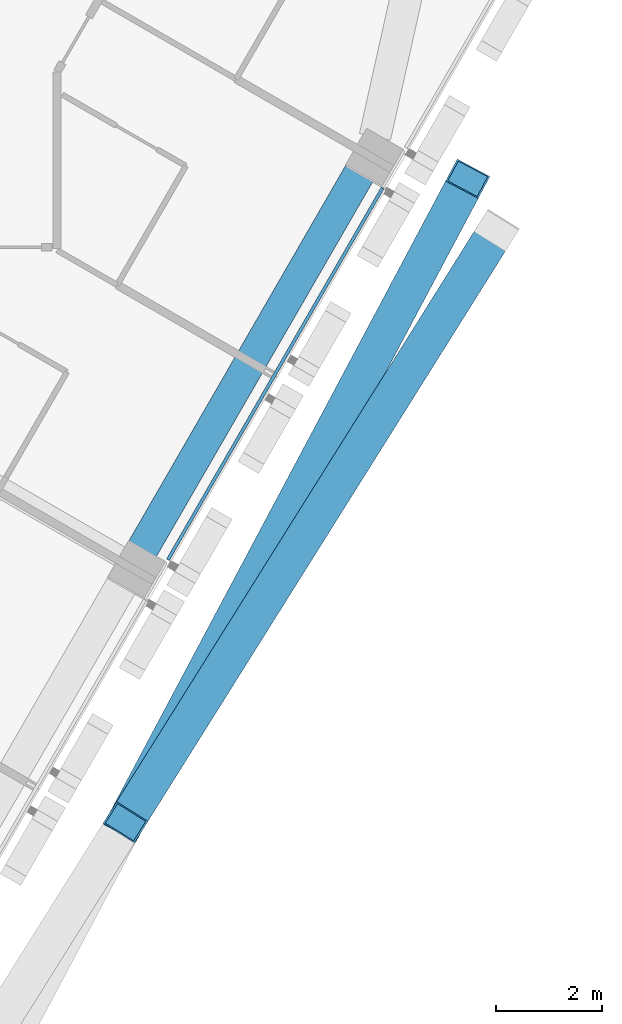
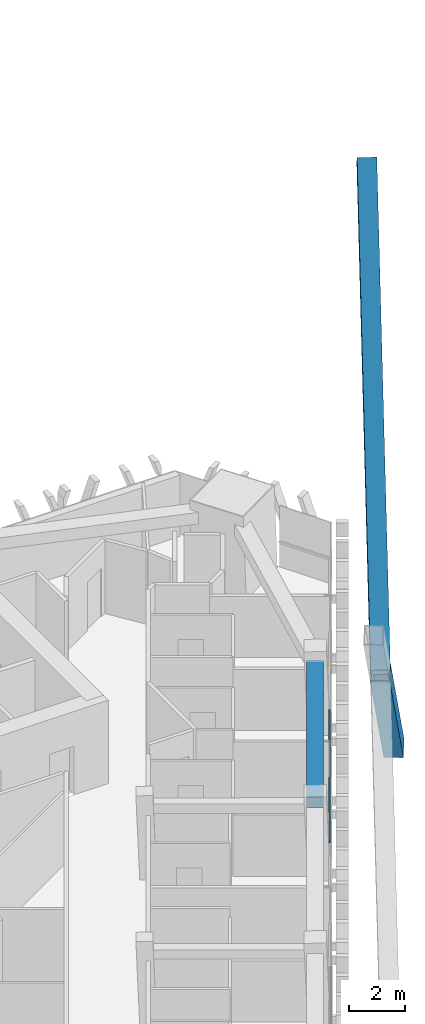
# One storey, part 5 of 17: 3 members, 1 beam, 1 element without a shape of its own.
"""IFC4 building model written with IfcOpenShell, lengths in metres."""

from ifc_helpers import new_model, si_unit, direction, frame, origin, origin_2d, place, context, subcontext, project, spatial, rectangle, hollow_rectangle, extrude, material, layer, layer_set, material_profile, profile_set, type_object, element, aggregate, save


model = new_model("IFC4")

# Units and contexts
model_context = context("Model", 3, precision=1e-05, world=origin(), true_north=direction((0.0, 1.0)))
body_context = subcontext(model_context, "Body", "Model", "MODEL_VIEW")
ifc_project = project(units=[si_unit("LENGTHUNIT", "METRE"), si_unit("AREAUNIT", "SQUARE_METRE"), si_unit("VOLUMEUNIT", "CUBIC_METRE"), si_unit("PLANEANGLEUNIT", "RADIAN"), si_unit("MASSUNIT", "GRAM", prefix="KILO")], contexts=[model_context])

# Site, building, storey
site_placement = place(None, origin())
site = spatial("IfcSite", under=ifc_project, at=site_placement, CompositionType="ELEMENT")
building_placement = place(site_placement, origin())
building = spatial("IfcBuilding", under=site, at=building_placement, Name="Altiplano Prism Tower", CompositionType="ELEMENT")
storey_placement = place(building_placement, frame((0.0, 0.0, 194.39990234375)))
storey = spatial("IfcBuildingStorey", under=building, at=storey_placement, Name="L50", CompositionType="ELEMENT", Elevation=194.39990234375)

# Curtain wall, member
ifc_material_1 = material(Name="Aluminium and glass", Category="aluminium")
ifc_layer = layer(ifc_material_1, 0.280029296875)
ifc_layer_set = layer_set([ifc_layer], Name="Aluminium and glass")
curtain_wall_type = type_object("IfcCurtainWallType", Name="CW1 typical co-living unitised curtain wall", PredefinedType="NOTDEFINED", material=ifc_layer_set)
curtain_wall_placement = place(storey_placement, origin())
curtain_wall = element("IfcCurtainWall", 1, at=curtain_wall_placement, inside=storey, type_object=curtain_wall_type, Name="CW1 curtain wall south-east face L50", PredefinedType="NOTDEFINED")
ifc_material_2 = material(Name="Aluminium", Category="aluminium")
ifc_material_profile_1 = material_profile(ifc_material_2, rectangle(XDim=0.06005859375, YDim=0.080078125, at=origin_2d()), Name="CW1 transom 80 x 60")
ifc_profile_set_1 = profile_set([ifc_material_profile_1], Name="Aluminium")
member_type_1 = type_object("IfcMemberType", Name="CW1 transom 80 x 60", PredefinedType="USERDEFINED", material=ifc_profile_set_1)
member_1_placement = place(storey_placement, frame((101.896240234375, 84.289794921875, 1.10009765625), z_axis=(0.499987045439, 0.866032882975, 0.0), x_axis=(-0.866032882975, 0.499987045439, 0.0)))
member_1 = element("IfcMember", 2, at=member_1_placement, type_object=member_type_1, Name="CW1 transom", ObjectType="TRANSOM", PredefinedType="USERDEFINED", context=body_context, shape_type="SweptSolid", body=[
    extrude(rectangle(XDim=0.06005859375, YDim=0.080078125, at=origin_2d()), origin(), (0.0, 0.0, 1.0), 8.120361328125),
])
aggregate(curtain_wall, [member_1])

# Beam
ifc_material_3 = material(Name="Concrete C60/75", Category="concrete")
ifc_material_profile_2 = material_profile(ifc_material_3, rectangle(XDim=0.60009765625, YDim=0.5, at=origin_2d()), Name="Edge beam 600x500")
ifc_profile_set_2 = profile_set([ifc_material_profile_2], Name="Concrete C60/75")
beam_type = type_object("IfcBeamType", Name="Edge beam 600x500", PredefinedType="SPANDREL", material=ifc_profile_set_2)
beam_placement = place(storey_placement, frame((101.38720703125, 84.445556640625, 2.900146484375), z_axis=(0.500015409341, 0.866016507015, 0.0), x_axis=(-0.866016507015, 0.500015409341, 0.0)))
element("IfcBeam", 3, at=beam_placement, inside=storey, type_object=beam_type, Name="Edge beam P23-P24 L51", PredefinedType="SPANDREL", context=body_context, shape_type="SweptSolid", body=[
    extrude(rectangle(XDim=0.60009765625, YDim=0.5, at=origin_2d()), origin(), (0.0, 0.0, 1.0), 8.440185546875),
])

# Members
ifc_material_4 = material(Name="Steel S355", Category="steel")
ifc_material_profile_3 = material_profile(ifc_material_4, hollow_rectangle(XDim=0.699951171875, YDim=0.699951171875, WallThickness=0.034912109375, at=origin_2d()), Name="Mega brace Box 700x700x35")
ifc_profile_set_3 = profile_set([ifc_material_profile_3], Name="Steel S355")
member_type_2 = type_object("IfcMemberType", Name="Mega brace Box 700x700x35", PredefinedType="BRACE", material=ifc_profile_set_3)
member_2_placement = place(storey_placement, frame((101.094482421875, 79.323486328125, 11.72509765625), z_axis=(0.347491474536, 0.653510993076, 0.672438143664), x_axis=(-0.882940023282, 0.469485798813, 0.0)))
element("IfcMember", 4, at=member_2_placement, inside=storey, type_object=member_type_2, Name="Mega brace 5.2.2", PredefinedType="BRACE", context=body_context, shape_type="SweptSolid", body=[
    extrude(hollow_rectangle(XDim=0.699951171875, YDim=0.699951171875, WallThickness=0.034912109375, at=origin_2d()), origin(), (0.0, 0.0, 1.0), 18.626220703125),
])
member_3_placement = place(storey_placement, frame((108.10888671875, 90.51220703125, -0.77587890625), z_axis=(-0.385742506769, -0.615300314738, 0.68746508359), x_axis=(0.847267343701, -0.531166685982, 0.0)))
element("IfcMember", 5, at=member_3_placement, inside=storey, type_object=member_type_2, Name="Mega brace 5.2.3", PredefinedType="BRACE", context=body_context, shape_type="SweptSolid", body=[
    extrude(hollow_rectangle(XDim=0.699951171875, YDim=0.699951171875, WallThickness=0.034912109375, at=origin_2d()), origin(), (0.0, 0.0, 1.0), 18.18408203125),
])

save(model, "model.ifc")
